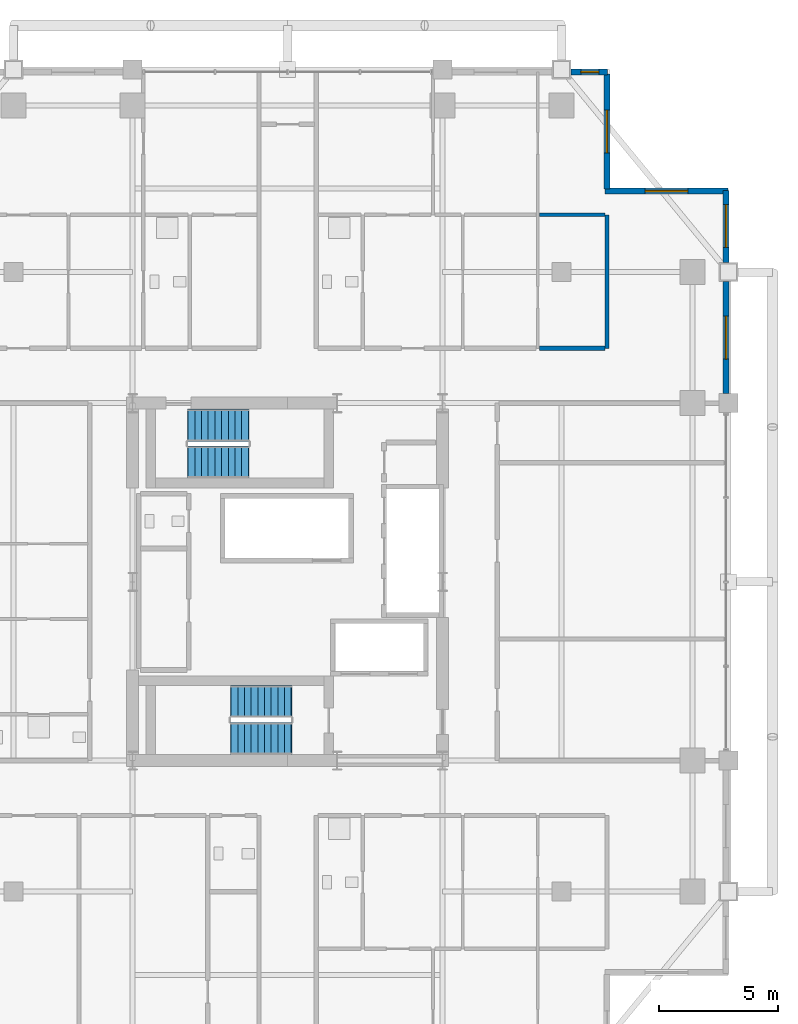
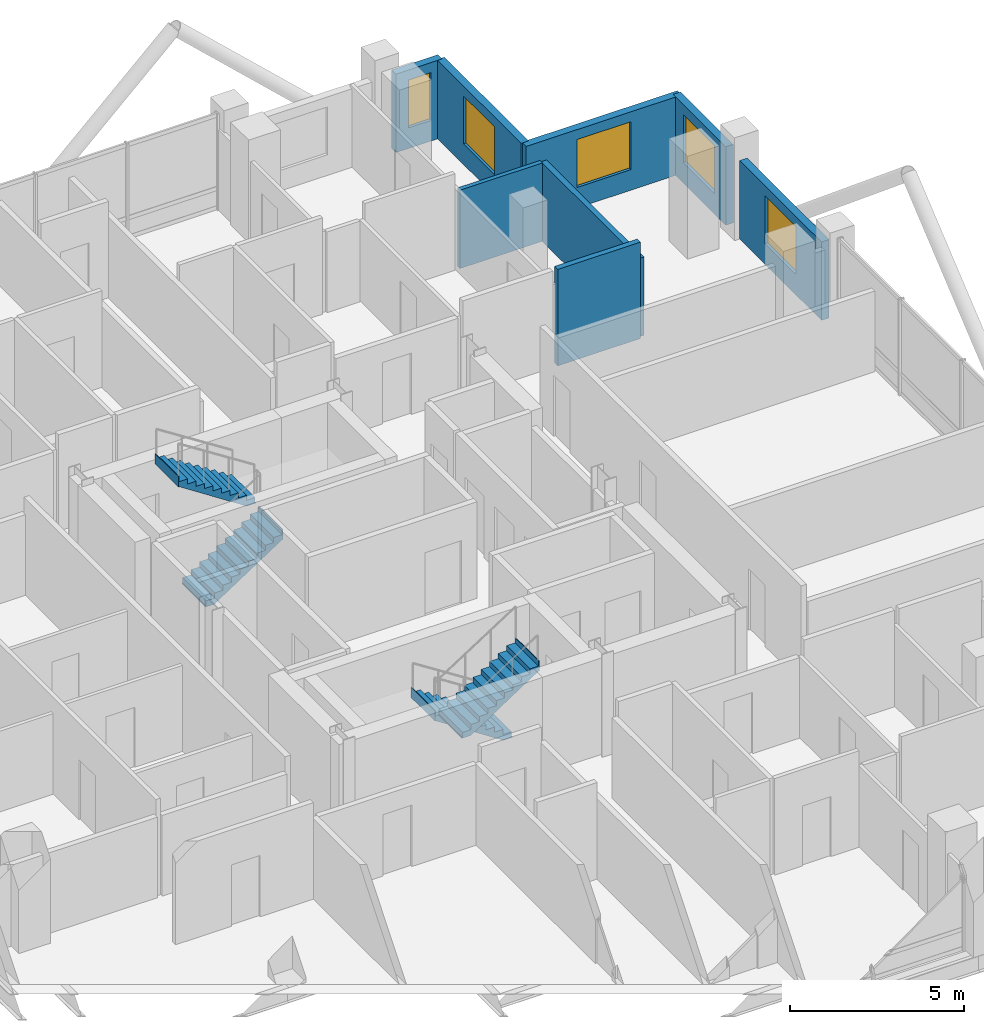
# One storey, part 24 of 26: 8 walls, 5 windows, 4 stair flights, 5 openings, 2 elements without a shape of their own.
"""IFC4 building model written with IfcOpenShell, lengths in metres."""

from ifc_helpers import new_model, si_unit, direction, frame, frame_2d, origin, place, context, subcontext, project, spatial, polyline, rectangle, outline, extrude, material, layer, layer_set, type_object, element, fill, aggregate, save


model = new_model("IFC4")

# Units and contexts
model_context = context("Model", 3, precision=1e-05, world=origin(), true_north=direction((0.0, 1.0)))
body_context = subcontext(model_context, "Body", "Model", "MODEL_VIEW")
ifc_project = project(units=[si_unit("LENGTHUNIT", "METRE"), si_unit("AREAUNIT", "SQUARE_METRE"), si_unit("VOLUMEUNIT", "CUBIC_METRE"), si_unit("PLANEANGLEUNIT", "RADIAN"), si_unit("MASSUNIT", "GRAM", prefix="KILO")], contexts=[model_context])

# Site, building, storey
site_placement = place(None, origin())
site = spatial("IfcSite", under=ifc_project, at=site_placement, CompositionType="ELEMENT")
building_placement = place(site_placement, origin())
building = spatial("IfcBuilding", under=site, at=building_placement, Name="Barlavira Tower and Art Museum", CompositionType="ELEMENT")
storey_placement = place(building_placement, frame((0.0, 0.0, 187.199951171875)))
storey = spatial("IfcBuildingStorey", under=building, at=storey_placement, Name="L48", CompositionType="ELEMENT", Elevation=187.199951171875)

# Walls
ifc_material_1 = material(Name="Gypsum acoustic stud partition", Category="gypsum")
ifc_layer_1 = layer(ifc_material_1, 0.179931640625, Name="Gypsum acoustic stud partition")
ifc_layer_set_1 = layer_set([ifc_layer_1], Name="Gypsum acoustic stud partition")
wall_type_1 = type_object("IfcWallType", Name="Inter-Tenancy Party Partition Wall 180", PredefinedType="PARTITIONING", material=ifc_layer_set_1)
wall_1_placement = place(storey_placement, frame((13.39990234375, 9.800048828125, 0.0), z_axis=(0.0, 0.0, 1.0), x_axis=(0.0, 1.0, 0.0)))
element("IfcWall", 1, at=wall_1_placement, inside=storey, type_object=wall_type_1, Name="L48 Partition Wall 26", PredefinedType="PARTITIONING", context=body_context, shape_type="SweptSolid", body=[
    extrude(rectangle(XDim=5.599853515625, YDim=0.179931640625, at=frame_2d((2.7998046875, 0.0))), origin(), (0.0, 0.0, 1.0), 2.748046875),
])
wall_2_placement = place(storey_placement, frame((10.580078125, 9.800048828125, 0.0), z_axis=(0.0, 0.0, 1.0), x_axis=(1.0, 0.0, 0.0)))
element("IfcWall", 2, at=wall_2_placement, inside=storey, type_object=wall_type_1, Name="L48 Partition Wall 65", PredefinedType="PARTITIONING", context=body_context, shape_type="SweptSolid", body=[
    extrude(rectangle(XDim=2.739990234375, YDim=0.179931640625, at=frame_2d((1.3701171875, 0.0))), origin(), (0.0, 0.0, 1.0), 3.380126953125),
])
ifc_layer_2 = layer(ifc_material_1, 0.139892578125, Name="Gypsum acoustic stud partition")
ifc_layer_set_2 = layer_set([ifc_layer_2], Name="Gypsum acoustic stud partition")
wall_type_2 = type_object("IfcWallType", Name="Moisture-Resistant Bathroom Partition 140", PredefinedType="PARTITIONING", material=ifc_layer_set_2)
wall_3_placement = place(storey_placement, frame((10.580078125, 15.39990234375, 0.0), z_axis=(0.0, 0.0, 1.0), x_axis=(1.0, 0.0, 0.0)))
element("IfcWall", 3, at=wall_3_placement, inside=storey, type_object=wall_type_2, Name="L48 Partition Wall 74", PredefinedType="PARTITIONING", context=body_context, shape_type="SweptSolid", body=[
    extrude(rectangle(XDim=2.739990234375, YDim=0.139892578125, at=frame_2d((1.3701171875, 0.0))), origin(), (0.0, 0.0, 1.0), 2.748046875),
])

# Wall, opening, window
ifc_material_2 = material(Name="Precast concrete C40", Category="concrete")
ifc_layer_3 = layer(ifc_material_2, 0.25, Name="Precast concrete C40")
ifc_layer_set_3 = layer_set([ifc_layer_3], Name="Precast concrete C40")
wall_type_3 = type_object("IfcWallType", Name="Notched Corner Spandrel Wall 250 Precast Concrete C40", PredefinedType="SOLIDWALL", material=ifc_layer_set_3)
wall_4_placement = place(storey_placement, frame((13.425048828125, 21.39990234375, 0.0), z_axis=(0.0, 0.0, 1.0), x_axis=(-1.0, 0.0, 0.0)))
wall_4 = element("IfcWall", 4, at=wall_4_placement, inside=storey, type_object=wall_type_3, Name="L48 Coastal Facade Pier Wall CW3-L48-N-1", PredefinedType="SOLIDWALL", context=body_context, shape_type="SweptSolid", body=[
    extrude(rectangle(XDim=1.530029296875, YDim=0.25, at=frame_2d((0.76513671875, 0.0))), origin(), (0.0, 0.0, 1.0), 2.748046875),
])
opening_1_placement = place(wall_4_placement, frame((0.363037109375, 0.0, 0.719970703125)))
opening_1 = element("IfcOpeningElement", 5, at=opening_1_placement, cuts=wall_4, Name="Opening WN-06", PredefinedType="OPENING", context=body_context, shape_type="SweptSolid", body=[
    extrude(rectangle(XDim=0.760009765625, YDim=1.679931640625, at=frame_2d((0.3798828125, 0.83984375))), frame((0.0, 0.135009765625, 0.0), z_axis=(0.0, -1.0, 0.0), x_axis=(1.0, 0.0, 0.0)), (0.0, 0.0, 1.0), 0.27001953125),
])
ifc_material_3 = material(Name="Low-iron coastal laminated glass", Category="glass")
window_type_1 = type_object("IfcWindowType", Name="Recessed Narrow Pier Window 760x1680", PartitioningType="SINGLE_PANEL", PredefinedType="WINDOW", material=ifc_material_3)
window_1_placement = place(opening_1_placement, origin())
window_1 = element("IfcWindow", 6, at=window_1_placement, inside=storey, type_object=window_type_1, Name="L48 Punched Facade Window EWP-CW3-L48-N-1-1", OverallHeight=1.679931640625, OverallWidth=0.760009765625, PartitioningType="SINGLE_PANEL", PredefinedType="WINDOW", context=body_context, shape_type="SweptSolid", body=[
    extrude(rectangle(XDim=0.760009765625, YDim=1.679931640625, at=frame_2d((0.3798828125, 0.83984375))), frame((0.0, 0.030029296875, 0.0), z_axis=(0.0, -1.0, 0.0), x_axis=(1.0, 0.0, 0.0)), (0.0, 0.0, 1.0), 0.06005859375),
])
fill(opening_1, window_1)

wall_5_placement = place(storey_placement, frame((18.39990234375, 7.89501953125, 0.0), z_axis=(0.0, 0.0, 1.0), x_axis=(0.0, 1.0, 0.0)))
wall_5 = element("IfcWall", 7, at=wall_5_placement, inside=storey, type_object=wall_type_3, Name="L48 Coastal Facade Pier Wall CW3-L48-E-4", PredefinedType="SOLIDWALL", context=body_context, shape_type="SweptSolid", body=[
    extrude(rectangle(XDim=4.7099609375, YDim=0.25, at=frame_2d((2.35498046875, 0.0))), origin(), (0.0, 0.0, 1.0), 2.748046875),
])
opening_2_placement = place(wall_5_placement, frame((1.455078125, 0.0, 0.719970703125)))
opening_2 = element("IfcOpeningElement", 8, at=opening_2_placement, cuts=wall_5, Name="Opening WN-01", PredefinedType="OPENING", context=body_context, shape_type="SweptSolid", body=[
    extrude(rectangle(XDim=1.800048828125, YDim=1.679931640625, at=frame_2d((0.89990234375, 0.83984375))), frame((0.0, 0.135009765625, 0.0), z_axis=(0.0, -1.0, 0.0), x_axis=(1.0, 0.0, 0.0)), (0.0, 0.0, 1.0), 0.27001953125),
])
window_type_2 = type_object("IfcWindowType", Name="Recessed Notch Corner Punch Window 1800x1680", PartitioningType="SINGLE_PANEL", PredefinedType="WINDOW", material=ifc_material_3)
window_2_placement = place(opening_2_placement, origin())
window_2 = element("IfcWindow", 9, at=window_2_placement, inside=storey, type_object=window_type_2, Name="L48 Punched Facade Window EWP-CW3-L48-E-4-1", OverallHeight=1.679931640625, OverallWidth=1.800048828125, PartitioningType="SINGLE_PANEL", PredefinedType="WINDOW", context=body_context, shape_type="SweptSolid", body=[
    extrude(rectangle(XDim=1.800048828125, YDim=1.679931640625, at=frame_2d((0.89990234375, 0.83984375))), frame((0.0, 0.030029296875, 0.0), z_axis=(0.0, -1.0, 0.0), x_axis=(1.0, 0.0, 0.0)), (0.0, 0.0, 1.0), 0.06005859375),
])
fill(opening_2, window_2)

wall_6_placement = place(storey_placement, frame((18.39990234375, 13.39501953125, 0.0), z_axis=(0.0, 0.0, 1.0), x_axis=(0.0, 1.0, 0.0)))
wall_6 = element("IfcWall", 10, at=wall_6_placement, inside=storey, type_object=wall_type_3, Name="L48 Coastal Facade Pier Wall CW3-L48-E-5", PredefinedType="SOLIDWALL", context=body_context, shape_type="SweptSolid", body=[
    extrude(rectangle(XDim=3.030029296875, YDim=0.25, at=frame_2d((1.51513671875, 0.0))), origin(), (0.0, 0.0, 1.0), 2.748046875),
])
opening_3_placement = place(wall_6_placement, frame((0.637939453125, 0.0, 0.719970703125)))
opening_3 = element("IfcOpeningElement", 11, at=opening_3_placement, cuts=wall_6, Name="Opening WN-01", PredefinedType="OPENING", context=body_context, shape_type="SweptSolid", body=[
    extrude(rectangle(XDim=1.800048828125, YDim=1.679931640625, at=frame_2d((0.89990234375, 0.83984375))), frame((0.0, 0.135009765625, 0.0), z_axis=(0.0, -1.0, 0.0), x_axis=(1.0, 0.0, 0.0)), (0.0, 0.0, 1.0), 0.27001953125),
])
window_3_placement = place(opening_3_placement, origin())
window_3 = element("IfcWindow", 12, at=window_3_placement, inside=storey, type_object=window_type_2, Name="L48 Punched Facade Window EWP-CW3-L48-E-5-1", OverallHeight=1.679931640625, OverallWidth=1.800048828125, PartitioningType="SINGLE_PANEL", PredefinedType="WINDOW", context=body_context, shape_type="SweptSolid", body=[
    extrude(rectangle(XDim=1.800048828125, YDim=1.679931640625, at=frame_2d((0.89990234375, 0.83984375))), frame((0.0, 0.030029296875, 0.0), z_axis=(0.0, -1.0, 0.0), x_axis=(1.0, 0.0, 0.0)), (0.0, 0.0, 1.0), 0.06005859375),
])
fill(opening_3, window_3)

wall_7_placement = place(storey_placement, frame((18.47998046875, 16.39990234375, 0.0), z_axis=(0.0, 0.0, 1.0), x_axis=(-1.0, 0.0, 0.0)))
wall_7 = element("IfcWall", 13, at=wall_7_placement, inside=storey, type_object=wall_type_3, Name="L48 Notch Corner Wall NE1", PredefinedType="SOLIDWALL", context=body_context, shape_type="SweptSolid", body=[
    extrude(rectangle(XDim=5.159912109375, YDim=0.25, at=frame_2d((2.580078125, 0.0))), origin(), (0.0, 0.0, 1.0), 2.748046875),
])
opening_4_placement = place(wall_7_placement, frame((1.679931640625, 0.0, 0.719970703125)))
opening_4 = element("IfcOpeningElement", 14, at=opening_4_placement, cuts=wall_7, Name="Opening WN-01", PredefinedType="OPENING", context=body_context, shape_type="SweptSolid", body=[
    extrude(rectangle(XDim=1.800048828125, YDim=1.679931640625, at=frame_2d((0.89990234375, 0.83984375))), frame((0.0, 0.135009765625, 0.0), z_axis=(0.0, -1.0, 0.0), x_axis=(1.0, 0.0, 0.0)), (0.0, 0.0, 1.0), 0.27001953125),
])
window_4_placement = place(opening_4_placement, origin())
window_4 = element("IfcWindow", 15, at=window_4_placement, inside=storey, type_object=window_type_2, Name="L48 Punched Facade Window EW-NTC-L48-NE1-1", OverallHeight=1.679931640625, OverallWidth=1.800048828125, PartitioningType="SINGLE_PANEL", PredefinedType="WINDOW", context=body_context, shape_type="SweptSolid", body=[
    extrude(rectangle(XDim=1.800048828125, YDim=1.679931640625, at=frame_2d((0.89990234375, 0.83984375))), frame((0.0, 0.030029296875, 0.0), z_axis=(0.0, -1.0, 0.0), x_axis=(1.0, 0.0, 0.0)), (0.0, 0.0, 1.0), 0.06005859375),
])
fill(opening_4, window_4)

wall_8_placement = place(storey_placement, frame((13.39990234375, 16.47998046875, 0.0), z_axis=(0.0, 0.0, 1.0), x_axis=(0.0, 1.0, 0.0)))
wall_8 = element("IfcWall", 16, at=wall_8_placement, inside=storey, type_object=wall_type_3, Name="L48 Notch Corner Wall NE2", PredefinedType="SOLIDWALL", context=body_context, shape_type="SweptSolid", body=[
    extrude(rectangle(XDim=4.840087890625, YDim=0.25, at=frame_2d((2.419921875, 0.0))), origin(), (0.0, 0.0, 1.0), 2.748046875),
])
opening_5_placement = place(wall_8_placement, frame((1.52001953125, 0.0, 0.719970703125)))
opening_5 = element("IfcOpeningElement", 17, at=opening_5_placement, cuts=wall_8, Name="Opening WN-01", PredefinedType="OPENING", context=body_context, shape_type="SweptSolid", body=[
    extrude(rectangle(XDim=1.800048828125, YDim=1.679931640625, at=frame_2d((0.89990234375, 0.83984375))), frame((0.0, 0.135009765625, 0.0), z_axis=(0.0, -1.0, 0.0), x_axis=(1.0, 0.0, 0.0)), (0.0, 0.0, 1.0), 0.27001953125),
])
window_5_placement = place(opening_5_placement, origin())
window_5 = element("IfcWindow", 18, at=window_5_placement, inside=storey, type_object=window_type_2, Name="L48 Punched Facade Window EW-NTC-L48-NE2-1", OverallHeight=1.679931640625, OverallWidth=1.800048828125, PartitioningType="SINGLE_PANEL", PredefinedType="WINDOW", context=body_context, shape_type="SweptSolid", body=[
    extrude(rectangle(XDim=1.800048828125, YDim=1.679931640625, at=frame_2d((0.89990234375, 0.83984375))), frame((0.0, 0.030029296875, 0.0), z_axis=(0.0, -1.0, 0.0), x_axis=(1.0, 0.0, 0.0)), (0.0, 0.0, 1.0), 0.06005859375),
])
fill(opening_5, window_5)

# Stair, stair flights
ifc_material_4 = material(Name="Concrete C45", Category="concrete")
stair_type_1 = type_object("IfcStairType", Name="Tower North Dog-Leg Exit Stair Assembly Concrete C45", PredefinedType="TWO_QUARTER_TURN_STAIR", material=ifc_material_4)
stair_1_placement = place(storey_placement, origin())
stair_1 = element("IfcStair", 19, at=stair_1_placement, inside=storey, type_object=stair_type_1, Name="L48 Tower North Exit Stair ST-T2", PredefinedType="TWO_QUARTER_TURN_STAIR")
ifc_material_5 = material(Name="Precast concrete C45", Category="concrete")
stair_flight_type_1 = type_object("IfcStairFlightType", Name="Tower North Dog-Leg Exit Stair Precast Flight 1350 Concrete C45", PredefinedType="STRAIGHT", material=ifc_material_5)
stair_flight_1_placement = place(storey_placement, frame((-4.169921875, 5.02490234375, 0.0), z_axis=(0.0, 0.0, 1.0), x_axis=(1.0, 0.0, 0.0)))
stair_flight_1 = element("IfcStairFlight", 20, at=stair_flight_1_placement, type_object=stair_flight_type_1, Name="ST-T2 flight 1", NumberOfRisers=10, NumberOfTreads=9, PredefinedType="STRAIGHT", RiserHeight=0.18, TreadLength=0.28, context=body_context, shape_type="SweptSolid", body=[
    extrude(outline(polyline([(-0.02490234375, 0.0), (0.0, 0.0), (0.0, 0.179931640625), (0.280029296875, 0.179931640625), (0.280029296875, 0.360107421875), (0.56005859375, 0.360107421875), (0.56005859375, 0.5400390625), (0.840087890625, 0.5400390625), (0.840087890625, 0.719970703125), (1.1201171875, 0.719970703125), (1.1201171875, 0.89990234375), (1.39990234375, 0.89990234375), (1.39990234375, 1.080078125), (1.679931640625, 1.080078125), (1.679931640625, 1.260009765625), (1.9599609375, 1.260009765625), (1.9599609375, 1.43994140625), (2.239990234375, 1.43994140625), (2.239990234375, 1.6201171875), (2.52001953125, 1.6201171875), (2.52001953125, 1.800048828125), (2.544921875, 1.800048828125), (2.544921875, 1.44189453125), (2.52001953125, 1.44189453125), (0.277099609375, -0.02490234375), (-0.02490234375, -0.02490234375), (-0.02490234375, 0.0)])), frame((0.0, 0.675048828125, 0.0), z_axis=(0.0, -1.0, 0.0), x_axis=(1.0, 0.0, 0.0)), (0.0, 0.0, 1.0), 1.35009765625),
])
stair_flight_2_placement = place(storey_placement, frame((-1.64990234375, 6.574951171875, 1.800048828125), z_axis=(0.0, 0.0, 1.0), x_axis=(-1.0, 0.0, 0.0)))
stair_flight_2 = element("IfcStairFlight", 21, at=stair_flight_2_placement, type_object=stair_flight_type_1, Name="ST-T2 flight 2", NumberOfRisers=10, NumberOfTreads=9, PredefinedType="STRAIGHT", RiserHeight=0.18, TreadLength=0.28, context=body_context, shape_type="SweptSolid", body=[
    extrude(outline(polyline([(-0.02490234375, 0.0), (0.0, 0.0), (0.0, 0.179931640625), (0.280029296875, 0.179931640625), (0.280029296875, 0.360107421875), (0.56005859375, 0.360107421875), (0.56005859375, 0.5400390625), (0.840087890625, 0.5400390625), (0.840087890625, 0.719970703125), (1.1201171875, 0.719970703125), (1.1201171875, 0.89990234375), (1.39990234375, 0.89990234375), (1.39990234375, 1.080078125), (1.679931640625, 1.080078125), (1.679931640625, 1.260009765625), (1.9599609375, 1.260009765625), (1.9599609375, 1.43994140625), (2.239990234375, 1.43994140625), (2.239990234375, 1.6201171875), (2.52001953125, 1.6201171875), (2.52001953125, 1.800048828125), (2.544921875, 1.800048828125), (2.544921875, 1.44189453125), (2.52001953125, 1.44189453125), (0.277099609375, -0.02490234375), (-0.02490234375, -0.02490234375), (-0.02490234375, 0.0)])), frame((0.0, 0.675048828125, 0.0), z_axis=(0.0, -1.0, 0.0), x_axis=(1.0, 0.0, 0.0)), (0.0, 0.0, 1.0), 1.35009765625),
])
aggregate(stair_1, [stair_flight_1, stair_flight_2])

stair_type_2 = type_object("IfcStairType", Name="Tower South Dog-Leg Exit Stair Assembly Concrete C45", PredefinedType="TWO_QUARTER_TURN_STAIR", material=ifc_material_4)
stair_2_placement = place(storey_placement, origin())
stair_2 = element("IfcStair", 22, at=stair_2_placement, inside=storey, type_object=stair_type_2, Name="L48 Tower South Exit Stair ST-T1", PredefinedType="TWO_QUARTER_TURN_STAIR")
stair_flight_type_2 = type_object("IfcStairFlightType", Name="Tower South Dog-Leg Exit Stair Precast Flight 1350 Concrete C45", PredefinedType="STRAIGHT", material=ifc_material_5)
stair_flight_3_placement = place(storey_placement, frame((0.14990234375, -5.02490234375, 0.0), z_axis=(0.0, 0.0, 1.0), x_axis=(-1.0, 0.0, 0.0)))
stair_flight_3 = element("IfcStairFlight", 23, at=stair_flight_3_placement, type_object=stair_flight_type_2, Name="ST-T1 flight 1", NumberOfRisers=10, NumberOfTreads=9, PredefinedType="STRAIGHT", RiserHeight=0.18, TreadLength=0.28, context=body_context, shape_type="SweptSolid", body=[
    extrude(outline(polyline([(-0.02490234375, 0.0), (0.0, 0.0), (0.0, 0.179931640625), (0.280029296875, 0.179931640625), (0.280029296875, 0.360107421875), (0.56005859375, 0.360107421875), (0.56005859375, 0.5400390625), (0.840087890625, 0.5400390625), (0.840087890625, 0.719970703125), (1.1201171875, 0.719970703125), (1.1201171875, 0.89990234375), (1.39990234375, 0.89990234375), (1.39990234375, 1.080078125), (1.679931640625, 1.080078125), (1.679931640625, 1.260009765625), (1.9599609375, 1.260009765625), (1.9599609375, 1.43994140625), (2.239990234375, 1.43994140625), (2.239990234375, 1.6201171875), (2.52001953125, 1.6201171875), (2.52001953125, 1.800048828125), (2.544921875, 1.800048828125), (2.544921875, 1.44189453125), (2.52001953125, 1.44189453125), (0.277099609375, -0.02490234375), (-0.02490234375, -0.02490234375), (-0.02490234375, 0.0)])), frame((0.0, 0.675048828125, 0.0), z_axis=(0.0, -1.0, 0.0), x_axis=(1.0, 0.0, 0.0)), (0.0, 0.0, 1.0), 1.35009765625),
])
stair_flight_4_placement = place(storey_placement, frame((-2.3701171875, -6.574951171875, 1.800048828125), z_axis=(0.0, 0.0, 1.0), x_axis=(1.0, 0.0, 0.0)))
stair_flight_4 = element("IfcStairFlight", 24, at=stair_flight_4_placement, type_object=stair_flight_type_2, Name="ST-T1 flight 2", NumberOfRisers=10, NumberOfTreads=9, PredefinedType="STRAIGHT", RiserHeight=0.18, TreadLength=0.28, context=body_context, shape_type="SweptSolid", body=[
    extrude(outline(polyline([(-0.02490234375, 0.0), (0.0, 0.0), (0.0, 0.179931640625), (0.280029296875, 0.179931640625), (0.280029296875, 0.360107421875), (0.56005859375, 0.360107421875), (0.56005859375, 0.5400390625), (0.840087890625, 0.5400390625), (0.840087890625, 0.719970703125), (1.1201171875, 0.719970703125), (1.1201171875, 0.89990234375), (1.39990234375, 0.89990234375), (1.39990234375, 1.080078125), (1.679931640625, 1.080078125), (1.679931640625, 1.260009765625), (1.9599609375, 1.260009765625), (1.9599609375, 1.43994140625), (2.239990234375, 1.43994140625), (2.239990234375, 1.6201171875), (2.52001953125, 1.6201171875), (2.52001953125, 1.800048828125), (2.544921875, 1.800048828125), (2.544921875, 1.44189453125), (2.52001953125, 1.44189453125), (0.277099609375, -0.02490234375), (-0.02490234375, -0.02490234375), (-0.02490234375, 0.0)])), frame((0.0, 0.675048828125, 0.0), z_axis=(0.0, -1.0, 0.0), x_axis=(1.0, 0.0, 0.0)), (0.0, 0.0, 1.0), 1.35009765625),
])
aggregate(stair_2, [stair_flight_3, stair_flight_4])

save(model, "model.ifc")
